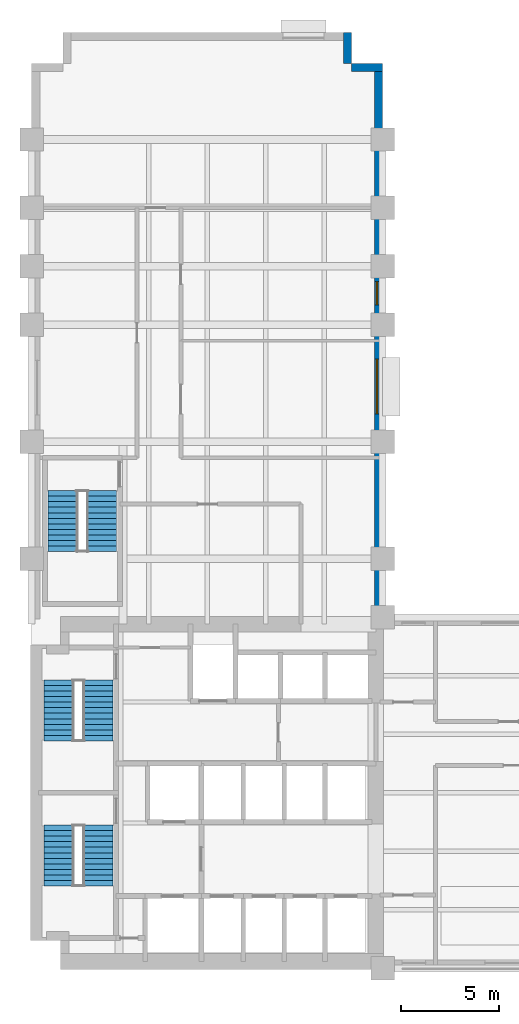
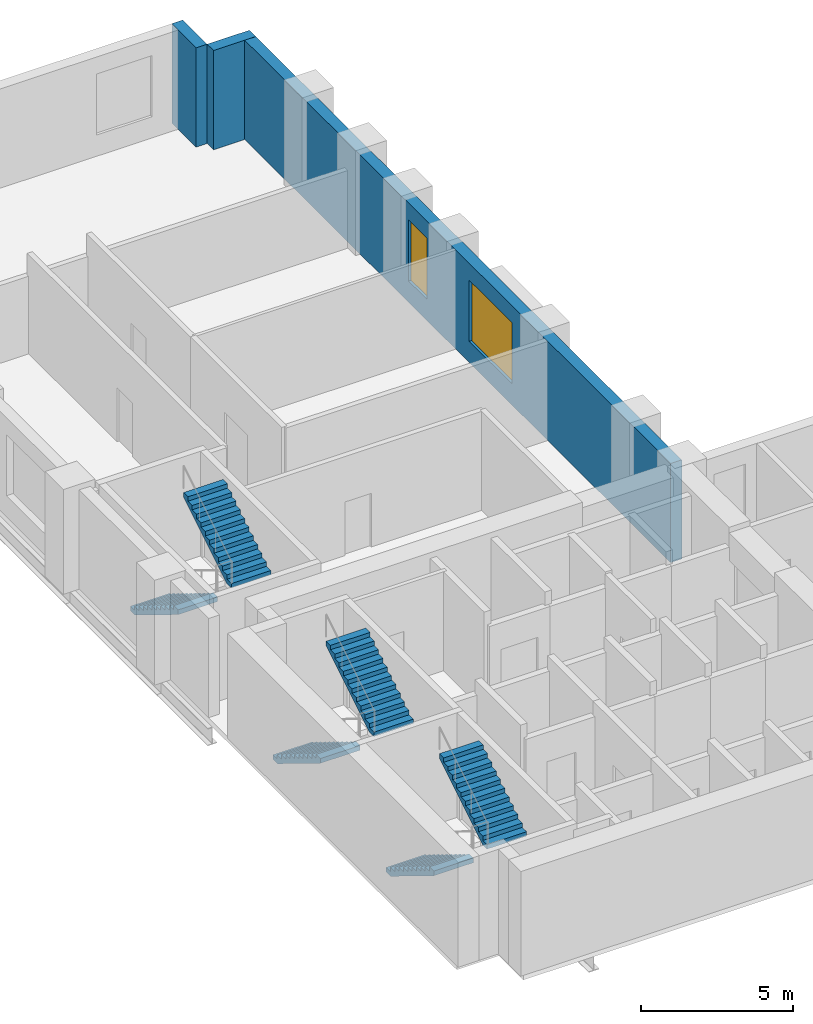
# One storey, part 6 of 8: 6 stair flights, 3 walls, 2 windows, 2 openings, 3 elements without a shape of their own.
"""IFC4 building model written with IfcOpenShell, lengths in metres."""

from ifc_helpers import new_model, si_unit, direction, frame, frame_2d, origin, place, context, subcontext, project, spatial, polyline, rectangle, outline, extrude, material, layer, layer_set, type_object, element, fill, aggregate, save


model = new_model("IFC4")

# Units and contexts
model_context = context("Model", 3, precision=1e-05, world=origin(), true_north=direction((0.0, 1.0)))
body_context = subcontext(model_context, "Body", "Model", "MODEL_VIEW")
ifc_project = project(units=[si_unit("LENGTHUNIT", "METRE"), si_unit("AREAUNIT", "SQUARE_METRE"), si_unit("VOLUMEUNIT", "CUBIC_METRE"), si_unit("PLANEANGLEUNIT", "RADIAN"), si_unit("MASSUNIT", "GRAM", prefix="KILO")], contexts=[model_context])

# Site, building, storey
site_placement = place(None, origin())
site = spatial("IfcSite", under=ifc_project, at=site_placement, CompositionType="ELEMENT")
building_placement = place(site_placement, origin())
building = spatial("IfcBuilding", under=site, at=building_placement, Name="Mawjdan Bourse Tower", CompositionType="ELEMENT")
storey_placement = place(building_placement, frame((0.0, 0.0, 38.39990234375)))
storey = spatial("IfcBuildingStorey", under=building, at=storey_placement, Name="L08", CompositionType="ELEMENT", Elevation=38.39990234375)

# Wall, openings, windows
ifc_material_1 = material(Name="Brick Masonry Buff", Category="masonry")
ifc_layer = layer(ifc_material_1, 0.419921875)
ifc_layer_set = layer_set([ifc_layer], Name="Brick Masonry Buff")
wall_type = type_object("IfcWallType", Name="WL-BRK-BUFF-420", PredefinedType="STANDARD", material=ifc_layer_set)
wall_placement = place(storey_placement, frame((23.7900390625, 21.0, 0.0), z_axis=(0.0, 0.0, 1.0), x_axis=(0.0, 1.0, 0.0)))
wall = element("IfcWall", 1, at=wall_placement, inside=storey, type_object=wall_type, Name="L08 Exterior Brick Wall 8", PredefinedType="STANDARD", context=body_context, shape_type="SweptSolid", body=[
    extrude(rectangle(XDim=28.39990234375, YDim=0.419921875, at=frame_2d((14.199951171875, 0.0))), origin(), (0.0, 0.0, 1.0), 3.97998046875),
])
opening_1_placement = place(wall_placement, frame((10.433349609375, 0.0, 0.85009765625)))
opening_1 = element("IfcOpeningElement", 2, at=opening_1_placement, cuts=wall, Name="Opening W-L08-04", PredefinedType="OPENING", context=body_context, shape_type="SweptSolid", body=[
    extrude(rectangle(XDim=2.800048828125, YDim=2.449951171875, at=frame_2d((1.39990234375, 1.22509765625))), frame((0.0, 0.219970703125, 0.0), z_axis=(0.0, -1.0, 0.0), x_axis=(1.0, 0.0, 0.0)), (0.0, 0.0, 1.0), 0.43994140625),
])
opening_2_placement = place(wall_placement, frame((16.01611328125, 0.0, 0.85009765625)))
opening_2 = element("IfcOpeningElement", 3, at=opening_2_placement, cuts=wall, Name="Opening W-L08-15", PredefinedType="OPENING", context=body_context, shape_type="SweptSolid", body=[
    extrude(rectangle(XDim=1.199951171875, YDim=2.449951171875, at=frame_2d((0.60009765625, 1.22509765625))), frame((0.0, 0.219970703125, 0.0), z_axis=(0.0, -1.0, 0.0), x_axis=(1.0, 0.0, 0.0)), (0.0, 0.0, 1.0), 0.43994140625),
])
ifc_material_2 = material(Name="Solar-Control Clear Double Glazing", Category="glass")
window_type_1 = type_object("IfcWindowType", Name="WN-TRD-1200", PartitioningType="SINGLE_PANEL", PredefinedType="WINDOW", material=ifc_material_2)
window_1_placement = place(opening_2_placement, origin())
window_1 = element("IfcWindow", 4, at=window_1_placement, inside=storey, type_object=window_type_1, Name="L08 Deep-Set Masonry Window W-L08-15", OverallHeight=2.449951171875, OverallWidth=1.199951171875, PartitioningType="SINGLE_PANEL", PredefinedType="WINDOW", context=body_context, shape_type="SweptSolid", body=[
    extrude(rectangle(XDim=1.199951171875, YDim=2.449951171875, at=frame_2d((0.60009765625, 1.22509765625))), frame((0.0, 0.110107421875, 0.0), z_axis=(0.0, -1.0, 0.0), x_axis=(1.0, 0.0, 0.0)), (0.0, 0.0, 1.0), 0.06005859375),
])
fill(opening_2, window_1)
window_type_2 = type_object("IfcWindowType", Name="WN-TRD-2800", PartitioningType="SINGLE_PANEL", PredefinedType="WINDOW", material=ifc_material_2)
window_2_placement = place(opening_1_placement, origin())
window_2 = element("IfcWindow", 5, at=window_2_placement, inside=storey, type_object=window_type_2, Name="L08 Deep-Set Masonry Window W-L08-04", OverallHeight=2.449951171875, OverallWidth=2.800048828125, PartitioningType="SINGLE_PANEL", PredefinedType="WINDOW", context=body_context, shape_type="SweptSolid", body=[
    extrude(rectangle(XDim=2.800048828125, YDim=2.449951171875, at=frame_2d((1.39990234375, 1.22509765625))), frame((0.0, 0.110107421875, 0.0), z_axis=(0.0, -1.0, 0.0), x_axis=(1.0, 0.0, 0.0)), (0.0, 0.0, 1.0), 0.06005859375),
])
fill(opening_1, window_2)

# Walls
for number, where, z_axis, x_axis, name in (
    (6, (24.0, 49.18994140625, 0.0), (0.0, 0.0, 1.0), (-1.0, 0.0, 0.0), "L08 Exterior Brick Wall 9"),
    (7, (22.18994140625, 49.39990234375, 0.0), (0.0, 0.0, 1.0), (0.0, 1.0, 0.0), "L08 Exterior Brick Wall 10"),
):
    element("IfcWall", number, at=place(storey_placement, frame(where, z_axis=z_axis, x_axis=x_axis)), inside=storey, type_object=wall_type, Name=name, PredefinedType="STANDARD", context=body_context, shape_type="SweptSolid", body=[
        extrude(rectangle(XDim=1.60009765625, YDim=0.419921875, at=frame_2d((0.800048828125, 0.0))), origin(), (0.0, 0.0, 1.0), 3.97998046875),
    ])

# Stair, stair flights
ifc_material_3 = material(Name="Concrete C50/60", Category="concrete")
stair_type = type_object("IfcStairType", Name="STR-CORE-1500", PredefinedType="HALF_TURN_STAIR", material=ifc_material_3)
stair_1_placement = place(storey_placement, origin())
stair_1 = element("IfcStair", 8, at=stair_1_placement, inside=storey, type_object=stair_type, Name="L08 Exit Stair 1 (Core South-West)", PredefinedType="HALF_TURN_STAIR")
stair_flight_type = type_object("IfcStairFlightType", Name="SFL-RC-1500", PredefinedType="STRAIGHT", material=ifc_material_3)
stair_flight_1_placement = place(storey_placement, frame((7.389892578125, 10.35009765625, 0.0), z_axis=(0.0, 0.0, 1.0), x_axis=(0.0, -1.0, 0.0)))
stair_flight_1 = element("IfcStairFlight", 9, at=stair_flight_1_placement, type_object=stair_flight_type, Name="ST1-L08 flight 1", NumberOfRisers=12, NumberOfTreads=11, PredefinedType="STRAIGHT", RiserHeight=0.175, TreadLength=0.285, context=body_context, shape_type="SweptSolid", body=[
    extrude(outline(polyline([(0.0, 0.0), (0.0, 0.175048828125), (0.284912109375, 0.175048828125), (0.284912109375, 0.35009765625), (0.570068359375, 0.35009765625), (0.570068359375, 0.52490234375), (0.85498046875, 0.52490234375), (0.85498046875, 0.699951171875), (1.139892578125, 0.699951171875), (1.139892578125, 0.875), (1.425048828125, 0.875), (1.425048828125, 1.050048828125), (1.7099609375, 1.050048828125), (1.7099609375, 1.22509765625), (1.9951171875, 1.22509765625), (1.9951171875, 1.39990234375), (2.280029296875, 1.39990234375), (2.280029296875, 1.574951171875), (2.56494140625, 1.574951171875), (2.56494140625, 1.75), (2.85009765625, 1.75), (2.85009765625, 1.925048828125), (3.135009765625, 1.925048828125), (3.135009765625, 2.10009765625), (3.135009765625, 1.7373046875), (0.3056640625, 0.0), (0.0, 0.0)])), frame((0.0, 0.75, 0.0), z_axis=(0.0, -1.0, 0.0), x_axis=(1.0, 0.0, 0.0)), (0.0, 0.0, 1.0), 1.5),
])
stair_flight_2_placement = place(storey_placement, frame((9.409912109375, 7.215087890625, 2.10009765625), z_axis=(0.0, 0.0, 1.0), x_axis=(0.0, 1.0, 0.0)))
stair_flight_2 = element("IfcStairFlight", 10, at=stair_flight_2_placement, type_object=stair_flight_type, Name="ST1-L08 flight 2", NumberOfRisers=12, NumberOfTreads=11, PredefinedType="STRAIGHT", RiserHeight=0.175, TreadLength=0.285, context=body_context, shape_type="SweptSolid", body=[
    extrude(outline(polyline([(0.0, 0.0), (0.0, 0.175048828125), (0.284912109375, 0.175048828125), (0.284912109375, 0.35009765625), (0.570068359375, 0.35009765625), (0.570068359375, 0.52490234375), (0.85498046875, 0.52490234375), (0.85498046875, 0.699951171875), (1.139892578125, 0.699951171875), (1.139892578125, 0.875), (1.425048828125, 0.875), (1.425048828125, 1.050048828125), (1.7099609375, 1.050048828125), (1.7099609375, 1.22509765625), (1.9951171875, 1.22509765625), (1.9951171875, 1.39990234375), (2.280029296875, 1.39990234375), (2.280029296875, 1.574951171875), (2.56494140625, 1.574951171875), (2.56494140625, 1.75), (2.85009765625, 1.75), (2.85009765625, 1.925048828125), (3.135009765625, 1.925048828125), (3.135009765625, 2.10009765625), (3.135009765625, 1.7373046875), (0.3056640625, 0.0), (0.0, 0.0)])), frame((0.0, 0.75, 0.0), z_axis=(0.0, -1.0, 0.0), x_axis=(1.0, 0.0, 0.0)), (0.0, 0.0, 1.0), 1.5),
])
aggregate(stair_1, [stair_flight_1, stair_flight_2])

stair_2_placement = place(storey_placement, origin())
stair_2 = element("IfcStair", 11, at=stair_2_placement, inside=storey, type_object=stair_type, Name="L08 Exit Stair 2 (Core North-West)", PredefinedType="HALF_TURN_STAIR")
stair_flight_3_placement = place(storey_placement, frame((7.389892578125, 17.7900390625, 0.0), z_axis=(0.0, 0.0, 1.0), x_axis=(0.0, -1.0, 0.0)))
stair_flight_3 = element("IfcStairFlight", 12, at=stair_flight_3_placement, type_object=stair_flight_type, Name="ST2-L08 flight 1", NumberOfRisers=12, NumberOfTreads=11, PredefinedType="STRAIGHT", RiserHeight=0.175, TreadLength=0.285, context=body_context, shape_type="SweptSolid", body=[
    extrude(outline(polyline([(0.0, 0.0), (0.0, 0.175048828125), (0.284912109375, 0.175048828125), (0.284912109375, 0.35009765625), (0.570068359375, 0.35009765625), (0.570068359375, 0.52490234375), (0.85498046875, 0.52490234375), (0.85498046875, 0.699951171875), (1.139892578125, 0.699951171875), (1.139892578125, 0.875), (1.425048828125, 0.875), (1.425048828125, 1.050048828125), (1.7099609375, 1.050048828125), (1.7099609375, 1.22509765625), (1.9951171875, 1.22509765625), (1.9951171875, 1.39990234375), (2.280029296875, 1.39990234375), (2.280029296875, 1.574951171875), (2.56494140625, 1.574951171875), (2.56494140625, 1.75), (2.85009765625, 1.75), (2.85009765625, 1.925048828125), (3.135009765625, 1.925048828125), (3.135009765625, 2.10009765625), (3.135009765625, 1.7373046875), (0.3056640625, 0.0), (0.0, 0.0)])), frame((0.0, 0.75, 0.0), z_axis=(0.0, -1.0, 0.0), x_axis=(1.0, 0.0, 0.0)), (0.0, 0.0, 1.0), 1.5),
])
stair_flight_4_placement = place(storey_placement, frame((9.409912109375, 14.655029296875, 2.10009765625), z_axis=(0.0, 0.0, 1.0), x_axis=(0.0, 1.0, 0.0)))
stair_flight_4 = element("IfcStairFlight", 13, at=stair_flight_4_placement, type_object=stair_flight_type, Name="ST2-L08 flight 2", NumberOfRisers=12, NumberOfTreads=11, PredefinedType="STRAIGHT", RiserHeight=0.175, TreadLength=0.285, context=body_context, shape_type="SweptSolid", body=[
    extrude(outline(polyline([(0.0, 0.0), (0.0, 0.175048828125), (0.284912109375, 0.175048828125), (0.284912109375, 0.35009765625), (0.570068359375, 0.35009765625), (0.570068359375, 0.52490234375), (0.85498046875, 0.52490234375), (0.85498046875, 0.699951171875), (1.139892578125, 0.699951171875), (1.139892578125, 0.875), (1.425048828125, 0.875), (1.425048828125, 1.050048828125), (1.7099609375, 1.050048828125), (1.7099609375, 1.22509765625), (1.9951171875, 1.22509765625), (1.9951171875, 1.39990234375), (2.280029296875, 1.39990234375), (2.280029296875, 1.574951171875), (2.56494140625, 1.574951171875), (2.56494140625, 1.75), (2.85009765625, 1.75), (2.85009765625, 1.925048828125), (3.135009765625, 1.925048828125), (3.135009765625, 2.10009765625), (3.135009765625, 1.7373046875), (0.3056640625, 0.0), (0.0, 0.0)])), frame((0.0, 0.75, 0.0), z_axis=(0.0, -1.0, 0.0), x_axis=(1.0, 0.0, 0.0)), (0.0, 0.0, 1.0), 1.5),
])
aggregate(stair_2, [stair_flight_3, stair_flight_4])

stair_3_placement = place(storey_placement, origin())
stair_3 = element("IfcStair", 14, at=stair_3_placement, inside=storey, type_object=stair_type, Name="L08 Exit Stair 3 (North Wing)", PredefinedType="HALF_TURN_STAIR")
stair_flight_5_placement = place(storey_placement, frame((7.590087890625, 27.5, 0.0), z_axis=(0.0, 0.0, 1.0), x_axis=(0.0, -1.0, 0.0)))
stair_flight_5 = element("IfcStairFlight", 15, at=stair_flight_5_placement, type_object=stair_flight_type, Name="ST3-L08 flight 1", NumberOfRisers=12, NumberOfTreads=11, PredefinedType="STRAIGHT", RiserHeight=0.175, TreadLength=0.285, context=body_context, shape_type="SweptSolid", body=[
    extrude(outline(polyline([(0.0, 0.0), (0.0, 0.175048828125), (0.284912109375, 0.175048828125), (0.284912109375, 0.35009765625), (0.570068359375, 0.35009765625), (0.570068359375, 0.52490234375), (0.85498046875, 0.52490234375), (0.85498046875, 0.699951171875), (1.139892578125, 0.699951171875), (1.139892578125, 0.875), (1.425048828125, 0.875), (1.425048828125, 1.050048828125), (1.7099609375, 1.050048828125), (1.7099609375, 1.22509765625), (1.9951171875, 1.22509765625), (1.9951171875, 1.39990234375), (2.280029296875, 1.39990234375), (2.280029296875, 1.574951171875), (2.56494140625, 1.574951171875), (2.56494140625, 1.75), (2.85009765625, 1.75), (2.85009765625, 1.925048828125), (3.135009765625, 1.925048828125), (3.135009765625, 2.10009765625), (3.135009765625, 1.7373046875), (0.3056640625, 0.0), (0.0, 0.0)])), frame((0.0, 0.75, 0.0), z_axis=(0.0, -1.0, 0.0), x_axis=(1.0, 0.0, 0.0)), (0.0, 0.0, 1.0), 1.5),
])
stair_flight_6_placement = place(storey_placement, frame((9.610107421875, 24.364990234375, 2.10009765625), z_axis=(0.0, 0.0, 1.0), x_axis=(0.0, 1.0, 0.0)))
stair_flight_6 = element("IfcStairFlight", 16, at=stair_flight_6_placement, type_object=stair_flight_type, Name="ST3-L08 flight 2", NumberOfRisers=12, NumberOfTreads=11, PredefinedType="STRAIGHT", RiserHeight=0.175, TreadLength=0.285, context=body_context, shape_type="SweptSolid", body=[
    extrude(outline(polyline([(0.0, 0.0), (0.0, 0.175048828125), (0.284912109375, 0.175048828125), (0.284912109375, 0.35009765625), (0.570068359375, 0.35009765625), (0.570068359375, 0.52490234375), (0.85498046875, 0.52490234375), (0.85498046875, 0.699951171875), (1.139892578125, 0.699951171875), (1.139892578125, 0.875), (1.425048828125, 0.875), (1.425048828125, 1.050048828125), (1.7099609375, 1.050048828125), (1.7099609375, 1.22509765625), (1.9951171875, 1.22509765625), (1.9951171875, 1.39990234375), (2.280029296875, 1.39990234375), (2.280029296875, 1.574951171875), (2.56494140625, 1.574951171875), (2.56494140625, 1.75), (2.85009765625, 1.75), (2.85009765625, 1.925048828125), (3.135009765625, 1.925048828125), (3.135009765625, 2.10009765625), (3.135009765625, 1.7373046875), (0.3056640625, 0.0), (0.0, 0.0)])), frame((0.0, 0.75, 0.0), z_axis=(0.0, -1.0, 0.0), x_axis=(1.0, 0.0, 0.0)), (0.0, 0.0, 1.0), 1.5),
])
aggregate(stair_3, [stair_flight_5, stair_flight_6])

save(model, "model.ifc")
